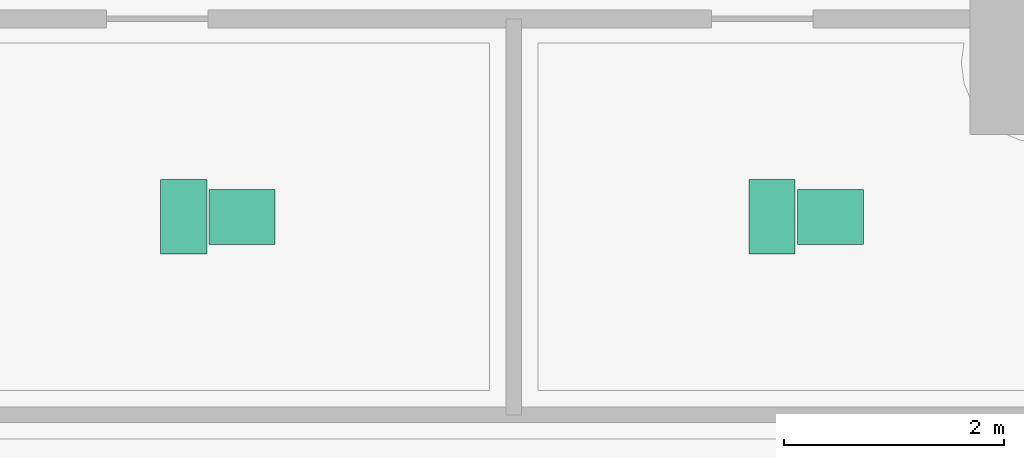
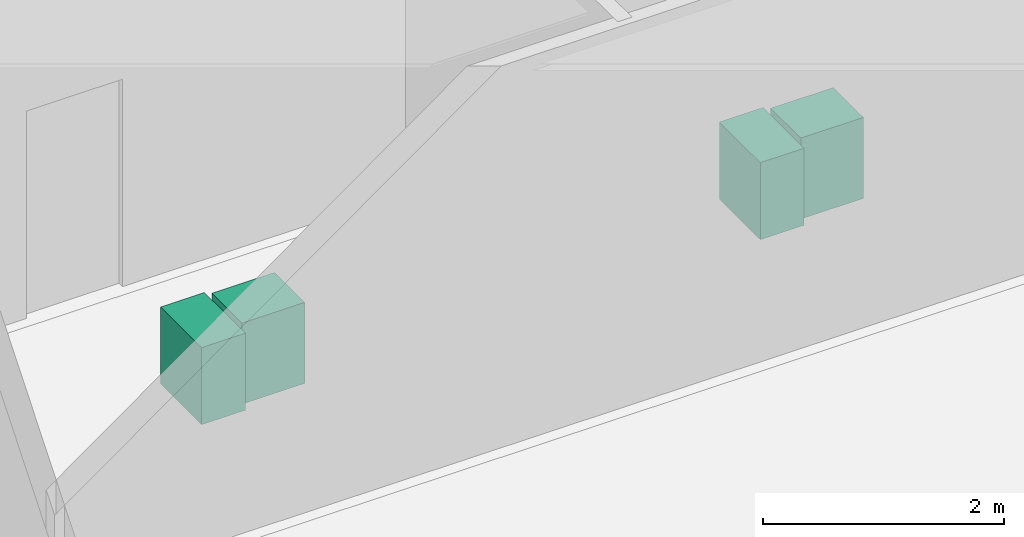
# One storey, part 21 of 22: 4 sanitary terminals.
"""IFC4 building model written with IfcOpenShell, lengths in metres."""

from ifc_helpers import new_model, si_unit, direction, frame, origin, origin_2d, place, context, subcontext, project, spatial, rectangle, extrude, source, transform, mapped, material, type_object, type_shapes, element, save


model = new_model("IFC4")

# Units and contexts
model_context = context("Model", 3, precision=1e-05, world=origin(), true_north=direction((0.0, 1.0)))
body_context = subcontext(model_context, "Body", "Model", "MODEL_VIEW")
ifc_project = project(units=[si_unit("LENGTHUNIT", "METRE"), si_unit("AREAUNIT", "SQUARE_METRE"), si_unit("VOLUMEUNIT", "CUBIC_METRE"), si_unit("PLANEANGLEUNIT", "RADIAN"), si_unit("MASSUNIT", "GRAM", prefix="KILO")], contexts=[model_context])

# Site, building, storey
site_placement = place(None, origin())
site = spatial("IfcSite", under=ifc_project, at=site_placement, CompositionType="ELEMENT")
building_placement = place(site_placement, origin())
building = spatial("IfcBuilding", under=site, at=building_placement, Name="Norrkilde Senior Care Towers", CompositionType="ELEMENT")
storey_placement = place(building_placement, origin())
storey = spatial("IfcBuildingStorey", under=building, at=storey_placement, Name="L00", CompositionType="ELEMENT", Elevation=0.0)

# Sanitary terminals
ifc_material = material(Name="Porcelain Ceramic")
sanitary_terminal_type_1 = type_object("IfcSanitaryTerminalType", Name="Accessible Senior WC Suite", PredefinedType="TOILETPAN", material=ifc_material)
shared_shape_1 = source(origin(), body_context, "Body", "SweptSolid", [
    extrude(rectangle(XDim=0.419921875, YDim=0.679931640625, at=origin_2d()), origin(), (0.0, 0.0, 1.0), 0.780029296875),
])
type_shapes(sanitary_terminal_type_1, [shared_shape_1])
for number, where, z_axis, x_axis, name in (
    (1, (9.0, 4.60009765625, 0.0), (0.0, 0.0, 1.0), (1.0, 0.0, 0.0), "L00 Accessible WC Pan 0001"),
    (2, (14.35009765625, 4.60009765625, 0.0), (0.0, 0.0, 1.0), (1.0, 0.0, 0.0), "L00 Accessible WC Pan 0002"),
):
    element("IfcSanitaryTerminal", number, at=place(storey_placement, frame(where, z_axis=z_axis, x_axis=x_axis)), inside=storey, type_object=sanitary_terminal_type_1, Name=name, PredefinedType="TOILETPAN", context=body_context, shape_type="MappedRepresentation", body=[
        mapped(shared_shape_1, transform((0.0, 0.0, 0.0), x_axis=(1.0, 0.0, 0.0), y_axis=(0.0, 1.0, 0.0), z_axis=(0.0, 0.0, 1.0), scale=1.0)),
    ])
sanitary_terminal_type_2 = type_object("IfcSanitaryTerminalType", Name="Thermostatic Care Washbasin", PredefinedType="WASHHANDBASIN", material=ifc_material)
shared_shape_2 = source(origin(), body_context, "Body", "SweptSolid", [
    extrude(rectangle(XDim=0.60009765625, YDim=0.5, at=origin_2d()), origin(), (0.0, 0.0, 1.0), 0.820068359375),
])
type_shapes(sanitary_terminal_type_2, [shared_shape_2])
for number, where, z_axis, x_axis, name in (
    (3, (9.530029296875, 4.60009765625, 0.0), (0.0, 0.0, 1.0), (1.0, 0.0, 0.0), "L00 Accessible Washbasin 0001"),
    (4, (14.8798828125, 4.60009765625, 0.0), (0.0, 0.0, 1.0), (1.0, 0.0, 0.0), "L00 Accessible Washbasin 0002"),
):
    element("IfcSanitaryTerminal", number, at=place(storey_placement, frame(where, z_axis=z_axis, x_axis=x_axis)), inside=storey, type_object=sanitary_terminal_type_2, Name=name, PredefinedType="WASHHANDBASIN", context=body_context, shape_type="MappedRepresentation", body=[
        mapped(shared_shape_2, transform((0.0, 0.0, 0.0), x_axis=(1.0, 0.0, 0.0), y_axis=(0.0, 1.0, 0.0), z_axis=(0.0, 0.0, 1.0), scale=1.0)),
    ])

save(model, "model.ifc")
